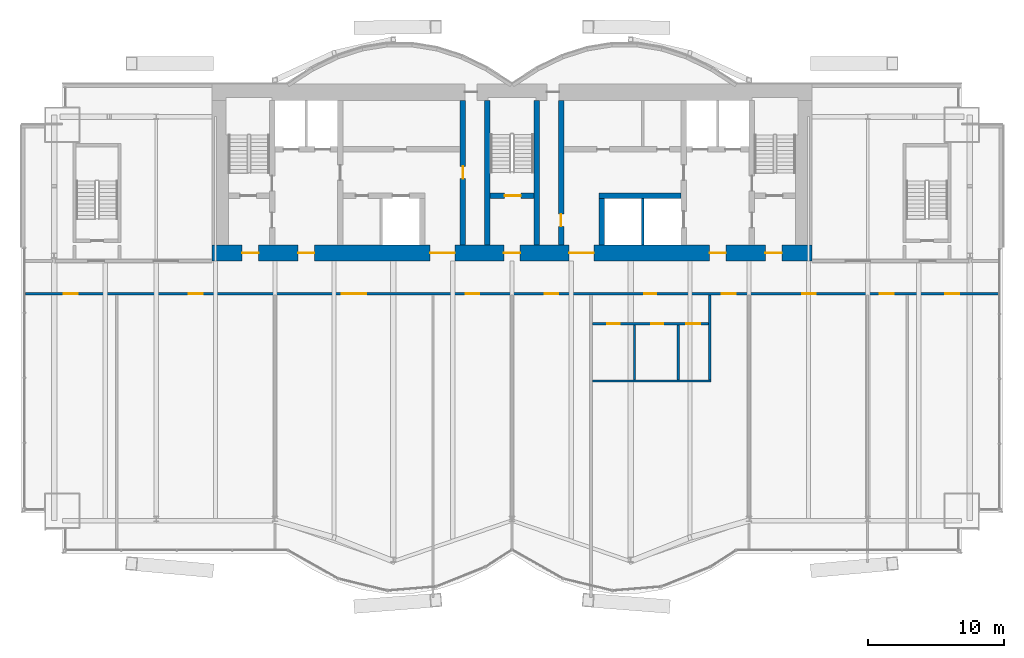
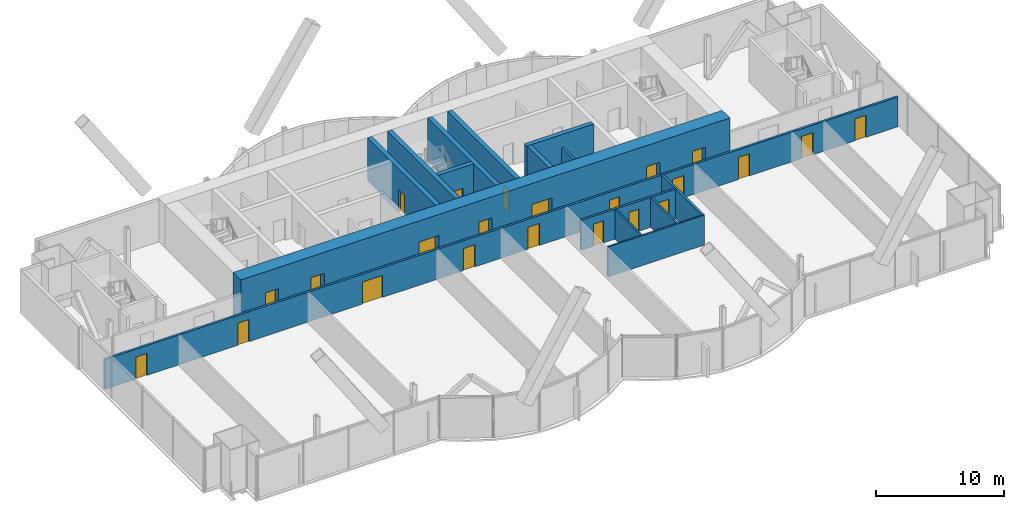
# One storey, part 17 of 22: 23 doors, 15 walls, 23 openings.
"""IFC4 building model written with IfcOpenShell, lengths in metres."""

from ifc_helpers import new_model, si_unit, direction, frame, frame_2d, origin, place, context, subcontext, project, spatial, rectangle, extrude, material, layer, layer_set, type_object, element, fill, save


model = new_model("IFC4")

# Units and contexts
model_context = context("Model", 3, precision=1e-05, world=origin(), true_north=direction((0.0, 1.0)))
body_context = subcontext(model_context, "Body", "Model", "MODEL_VIEW")
ifc_project = project(units=[si_unit("LENGTHUNIT", "METRE"), si_unit("AREAUNIT", "SQUARE_METRE"), si_unit("VOLUMEUNIT", "CUBIC_METRE"), si_unit("PLANEANGLEUNIT", "RADIAN"), si_unit("MASSUNIT", "GRAM", prefix="KILO")], contexts=[model_context])

# Site, building, storey
site_placement = place(None, origin())
site = spatial("IfcSite", under=ifc_project, at=site_placement, CompositionType="ELEMENT")
building_placement = place(site_placement, origin())
building = spatial("IfcBuilding", under=site, at=building_placement, Name="Bicima Exchange Tower", CompositionType="ELEMENT")
storey_placement = place(building_placement, frame((0.0, 0.0, 169.10009765625)))
storey = spatial("IfcBuildingStorey", under=building, at=storey_placement, Name="L37", CompositionType="ELEMENT", Elevation=169.10009765625)

# Wall
ifc_material_1 = material(Name="Gypsum board partition")
ifc_layer_1 = layer(ifc_material_1, 0.199951171875)
ifc_layer_set_1 = layer_set([ifc_layer_1], Name="Gypsum board partition")
wall_type_1 = type_object("IfcWallType", Name="Fire-rated gypsum partition 200 EI120", PredefinedType="PARTITIONING", material=ifc_layer_set_1)
wall_1_placement = place(storey_placement, frame((9.60009765625, -11.800048828125, 0.0), z_axis=(0.0, 0.0, 1.0), x_axis=(0.0, 1.0, 0.0)))
element("IfcWall", 1, at=wall_1_placement, inside=storey, type_object=wall_type_1, Name="partition wall 18", PredefinedType="PARTITIONING", context=body_context, shape_type="SweptSolid", body=[
    extrude(rectangle(XDim=3.400146484375, YDim=0.199951171875, at=frame_2d((1.7001953125, 0.0))), origin(), (0.0, 0.0, 1.0), 2.840087890625),
])

# Wall, openings, doors
ifc_layer_2 = layer(ifc_material_1, 0.199951171875)
ifc_layer_set_2 = layer_set([ifc_layer_2], Name="Gypsum board partition")
wall_type_2 = type_object("IfcWallType", Name="Fire-rated gypsum partition 200 EI60", PredefinedType="PARTITIONING", material=ifc_layer_set_2)
wall_2_placement = place(storey_placement, frame((5.89990234375, -17.60009765625, 0.0), z_axis=(0.0, 0.0, 1.0), x_axis=(1.0, 0.0, 0.0)))
wall_2 = element("IfcWall", 2, at=wall_2_placement, inside=storey, type_object=wall_type_2, Name="partition wall 2", PredefinedType="PARTITIONING", context=body_context, shape_type="SweptSolid", body=[
    extrude(rectangle(XDim=8.5, YDim=0.199951171875, at=frame_2d((4.25, 0.0))), origin(), (0.0, 0.0, 1.0), 2.840087890625),
])
opening_1_placement = place(wall_2_placement, frame((1.10009765625, 0.0, 0.0)))
opening_1 = element("IfcOpeningElement", 3, at=opening_1_placement, cuts=wall_2, Name="Opening L37-013", PredefinedType="OPENING", context=body_context, shape_type="SweptSolid", body=[
    extrude(rectangle(XDim=0.89990234375, YDim=2.10009765625, at=frame_2d((0.449951171875, 1.050048828125))), frame((0.0, 0.11181640625, 0.0), z_axis=(0.0, -1.0, 0.0), x_axis=(1.0, 0.0, 0.0)), (0.0, 0.0, 1.0), 0.223876953125),
])
opening_2_placement = place(wall_2_placement, frame((4.300048828125, 0.0, 0.0)))
opening_2 = element("IfcOpeningElement", 4, at=opening_2_placement, cuts=wall_2, Name="Opening L37-014", PredefinedType="OPENING", context=body_context, shape_type="SweptSolid", body=[
    extrude(rectangle(XDim=0.89990234375, YDim=2.10009765625, at=frame_2d((0.449951171875, 1.050048828125))), frame((0.0, 0.11181640625, 0.0), z_axis=(0.0, -1.0, 0.0), x_axis=(1.0, 0.0, 0.0)), (0.0, 0.0, 1.0), 0.223876953125),
])
opening_3_placement = place(wall_2_placement, frame((6.89990234375, 0.0, 0.0)))
opening_3 = element("IfcOpeningElement", 5, at=opening_3_placement, cuts=wall_2, Name="Opening L37-015", PredefinedType="OPENING", context=body_context, shape_type="SweptSolid", body=[
    extrude(rectangle(XDim=1.0, YDim=2.10009765625, at=frame_2d((0.5, 1.050048828125))), frame((0.0, 0.11181640625, 0.0), z_axis=(0.0, -1.0, 0.0), x_axis=(1.0, 0.0, 0.0)), (0.0, 0.0, 1.0), 0.223876953125),
])
ifc_material_2 = material(Name="Steel fire door leaf", Category="steel")
door_type_1 = type_object("IfcDoorType", Name="Door 1000 swing FD30S", OperationType="SINGLE_SWING_LEFT", PredefinedType="DOOR", material=ifc_material_2)
door_1_placement = place(opening_3_placement, frame((1.0, 0.0, 0.0), z_axis=(0.0, 0.0, 1.0), x_axis=(-1.0, 0.0, 0.0)))
door_1 = element("IfcDoor", 6, at=door_1_placement, inside=storey, type_object=door_type_1, Name="Door", OperationType="SINGLE_SWING_RIGHT", OverallHeight=2.10009765625, OverallWidth=1.0, PredefinedType="DOOR", context=body_context, shape_type="SweptSolid", body=[
    extrude(rectangle(XDim=1.0, YDim=2.10009765625, at=frame_2d((0.5, 1.050048828125))), frame((0.0, 0.02490234375, 0.0), z_axis=(0.0, -1.0, 0.0), x_axis=(1.0, 0.0, 0.0)), (0.0, 0.0, 1.0), 0.050048828125),
])
fill(opening_3, door_1)
door_type_2 = type_object("IfcDoorType", Name="Door 900 swing FD30S", OperationType="SINGLE_SWING_LEFT", PredefinedType="DOOR", material=ifc_material_2)
door_2_placement = place(opening_1_placement, frame((0.89990234375, 0.0, 0.0), z_axis=(0.0, 0.0, 1.0), x_axis=(-1.0, 0.0, 0.0)))
door_2 = element("IfcDoor", 7, at=door_2_placement, inside=storey, type_object=door_type_2, Name="Door", OperationType="SINGLE_SWING_LEFT", OverallHeight=2.10009765625, OverallWidth=0.89990234375, PredefinedType="DOOR", context=body_context, shape_type="SweptSolid", body=[
    extrude(rectangle(XDim=0.89990234375, YDim=2.10009765625, at=frame_2d((0.449951171875, 1.050048828125))), frame((0.0, 0.02490234375, 0.0), z_axis=(0.0, -1.0, 0.0), x_axis=(1.0, 0.0, 0.0)), (0.0, 0.0, 1.0), 0.050048828125),
])
fill(opening_1, door_2)
door_3_placement = place(opening_2_placement, frame((0.89990234375, 0.0, 0.0), z_axis=(0.0, 0.0, 1.0), x_axis=(-1.0, 0.0, 0.0)))
door_3 = element("IfcDoor", 8, at=door_3_placement, inside=storey, type_object=door_type_2, Name="Door", OperationType="SINGLE_SWING_RIGHT", OverallHeight=2.10009765625, OverallWidth=0.89990234375, PredefinedType="DOOR", context=body_context, shape_type="SweptSolid", body=[
    extrude(rectangle(XDim=0.89990234375, YDim=2.10009765625, at=frame_2d((0.449951171875, 1.050048828125))), frame((0.0, 0.02490234375, 0.0), z_axis=(0.0, -1.0, 0.0), x_axis=(1.0, 0.0, 0.0)), (0.0, 0.0, 1.0), 0.050048828125),
])
fill(opening_2, door_3)

wall_3_placement = place(storey_placement, frame((-35.679931640625, -15.39990234375, 0.0), z_axis=(0.0, 0.0, 1.0), x_axis=(1.0, 0.0, 0.0)))
wall_3 = element("IfcWall", 9, at=wall_3_placement, inside=storey, type_object=wall_type_2, Name="partition wall 3", PredefinedType="PARTITIONING", context=body_context, shape_type="SweptSolid", body=[
    extrude(rectangle(XDim=71.35986328125, YDim=0.199951171875, at=frame_2d((35.679931640625, 0.0))), origin(), (0.0, 0.0, 1.0), 2.840087890625),
])
opening_4_placement = place(wall_3_placement, frame((2.800048828125, 0.0, 0.0)))
opening_4 = element("IfcOpeningElement", 10, at=opening_4_placement, cuts=wall_3, Name="Opening L37-007", PredefinedType="OPENING", context=body_context, shape_type="SweptSolid", body=[
    extrude(rectangle(XDim=1.0, YDim=2.10009765625, at=frame_2d((0.5, 1.050048828125))), frame((0.0, 0.11181640625, 0.0), z_axis=(0.0, -1.0, 0.0), x_axis=(1.0, 0.0, 0.0)), (0.0, 0.0, 1.0), 0.223876953125),
])
opening_5_placement = place(wall_3_placement, frame((11.97998046875, 0.0, 0.0)))
opening_5 = element("IfcOpeningElement", 11, at=opening_5_placement, cuts=wall_3, Name="Opening L37-008", PredefinedType="OPENING", context=body_context, shape_type="SweptSolid", body=[
    extrude(rectangle(XDim=1.0, YDim=2.10009765625, at=frame_2d((0.5, 1.050048828125))), frame((0.0, 0.11181640625, 0.0), z_axis=(0.0, -1.0, 0.0), x_axis=(1.0, 0.0, 0.0)), (0.0, 0.0, 1.0), 0.223876953125),
])
opening_6_placement = place(wall_3_placement, frame((23.179931640625, 0.0, 0.0)))
opening_6 = element("IfcOpeningElement", 12, at=opening_6_placement, cuts=wall_3, Name="Opening L37-009", PredefinedType="OPENING", context=body_context, shape_type="SweptSolid", body=[
    extrude(rectangle(XDim=1.800048828125, YDim=2.10009765625, at=frame_2d((0.89990234375, 1.050048828125))), frame((0.0, 0.11181640625, 0.0), z_axis=(0.0, -1.0, 0.0), x_axis=(1.0, 0.0, 0.0)), (0.0, 0.0, 1.0), 0.223876953125),
])
opening_7_placement = place(wall_3_placement, frame((32.280029296875, 0.0, 0.0)))
opening_7 = element("IfcOpeningElement", 13, at=opening_7_placement, cuts=wall_3, Name="Opening L37-010", PredefinedType="OPENING", context=body_context, shape_type="SweptSolid", body=[
    extrude(rectangle(XDim=1.0, YDim=2.10009765625, at=frame_2d((0.5, 1.050048828125))), frame((0.0, 0.11181640625, 0.0), z_axis=(0.0, -1.0, 0.0), x_axis=(1.0, 0.0, 0.0)), (0.0, 0.0, 1.0), 0.223876953125),
])
opening_8_placement = place(wall_3_placement, frame((38.080078125, 0.0, 0.0)))
opening_8 = element("IfcOpeningElement", 14, at=opening_8_placement, cuts=wall_3, Name="Opening L37-011", PredefinedType="OPENING", context=body_context, shape_type="SweptSolid", body=[
    extrude(rectangle(XDim=1.0, YDim=2.10009765625, at=frame_2d((0.5, 1.050048828125))), frame((0.0, 0.11181640625, 0.0), z_axis=(0.0, -1.0, 0.0), x_axis=(1.0, 0.0, 0.0)), (0.0, 0.0, 1.0), 0.223876953125),
])
opening_9_placement = place(wall_3_placement, frame((45.3798828125, 0.0, 0.0)))
opening_9 = element("IfcOpeningElement", 15, at=opening_9_placement, cuts=wall_3, Name="Opening L37-012", PredefinedType="OPENING", context=body_context, shape_type="SweptSolid", body=[
    extrude(rectangle(XDim=0.89990234375, YDim=2.10009765625, at=frame_2d((0.449951171875, 1.050048828125))), frame((0.0, 0.11181640625, 0.0), z_axis=(0.0, -1.0, 0.0), x_axis=(1.0, 0.0, 0.0)), (0.0, 0.0, 1.0), 0.223876953125),
])
opening_10_placement = place(wall_3_placement, frame((51.080078125, 0.0, 0.0)))
opening_10 = element("IfcOpeningElement", 16, at=opening_10_placement, cuts=wall_3, Name="Opening L37-016", PredefinedType="OPENING", context=body_context, shape_type="SweptSolid", body=[
    extrude(rectangle(XDim=1.0, YDim=2.10009765625, at=frame_2d((0.5, 1.050048828125))), frame((0.0, 0.11181640625, 0.0), z_axis=(0.0, -1.0, 0.0), x_axis=(1.0, 0.0, 0.0)), (0.0, 0.0, 1.0), 0.223876953125),
])
opening_11_placement = place(wall_3_placement, frame((56.97998046875, 0.0, 0.0)))
opening_11 = element("IfcOpeningElement", 17, at=opening_11_placement, cuts=wall_3, Name="Opening L37-017", PredefinedType="OPENING", context=body_context, shape_type="SweptSolid", body=[
    extrude(rectangle(XDim=1.0, YDim=2.10009765625, at=frame_2d((0.5, 1.050048828125))), frame((0.0, 0.11181640625, 0.0), z_axis=(0.0, -1.0, 0.0), x_axis=(1.0, 0.0, 0.0)), (0.0, 0.0, 1.0), 0.223876953125),
])
opening_12_placement = place(wall_3_placement, frame((62.679931640625, 0.0, 0.0)))
opening_12 = element("IfcOpeningElement", 18, at=opening_12_placement, cuts=wall_3, Name="Opening L37-018", PredefinedType="OPENING", context=body_context, shape_type="SweptSolid", body=[
    extrude(rectangle(XDim=1.0, YDim=2.10009765625, at=frame_2d((0.5, 1.050048828125))), frame((0.0, 0.11181640625, 0.0), z_axis=(0.0, -1.0, 0.0), x_axis=(1.0, 0.0, 0.0)), (0.0, 0.0, 1.0), 0.223876953125),
])
opening_13_placement = place(wall_3_placement, frame((67.47998046875, 0.0, 0.0)))
opening_13 = element("IfcOpeningElement", 19, at=opening_13_placement, cuts=wall_3, Name="Opening L37-019", PredefinedType="OPENING", context=body_context, shape_type="SweptSolid", body=[
    extrude(rectangle(XDim=1.0, YDim=2.10009765625, at=frame_2d((0.5, 1.050048828125))), frame((0.0, 0.11181640625, 0.0), z_axis=(0.0, -1.0, 0.0), x_axis=(1.0, 0.0, 0.0)), (0.0, 0.0, 1.0), 0.223876953125),
])
door_4_placement = place(opening_4_placement, frame((1.0, 0.0, 0.0), z_axis=(0.0, 0.0, 1.0), x_axis=(-1.0, 0.0, 0.0)))
door_4 = element("IfcDoor", 20, at=door_4_placement, inside=storey, type_object=door_type_1, Name="Door", OperationType="SINGLE_SWING_LEFT", OverallHeight=2.10009765625, OverallWidth=1.0, PredefinedType="DOOR", context=body_context, shape_type="SweptSolid", body=[
    extrude(rectangle(XDim=1.0, YDim=2.10009765625, at=frame_2d((0.5, 1.050048828125))), frame((0.0, 0.02490234375, 0.0), z_axis=(0.0, -1.0, 0.0), x_axis=(1.0, 0.0, 0.0)), (0.0, 0.0, 1.0), 0.050048828125),
])
fill(opening_4, door_4)
door_5_placement = place(opening_5_placement, frame((1.0, 0.0, 0.0), z_axis=(0.0, 0.0, 1.0), x_axis=(-1.0, 0.0, 0.0)))
door_5 = element("IfcDoor", 21, at=door_5_placement, inside=storey, type_object=door_type_1, Name="Door", OperationType="SINGLE_SWING_RIGHT", OverallHeight=2.10009765625, OverallWidth=1.0, PredefinedType="DOOR", context=body_context, shape_type="SweptSolid", body=[
    extrude(rectangle(XDim=1.0, YDim=2.10009765625, at=frame_2d((0.5, 1.050048828125))), frame((0.0, 0.02490234375, 0.0), z_axis=(0.0, -1.0, 0.0), x_axis=(1.0, 0.0, 0.0)), (0.0, 0.0, 1.0), 0.050048828125),
])
fill(opening_5, door_5)
door_6_placement = place(opening_7_placement, frame((1.0, 0.0, 0.0), z_axis=(0.0, 0.0, 1.0), x_axis=(-1.0, 0.0, 0.0)))
door_6 = element("IfcDoor", 22, at=door_6_placement, inside=storey, type_object=door_type_1, Name="Door", OperationType="SINGLE_SWING_LEFT", OverallHeight=2.10009765625, OverallWidth=1.0, PredefinedType="DOOR", context=body_context, shape_type="SweptSolid", body=[
    extrude(rectangle(XDim=1.0, YDim=2.10009765625, at=frame_2d((0.5, 1.050048828125))), frame((0.0, 0.02490234375, 0.0), z_axis=(0.0, -1.0, 0.0), x_axis=(1.0, 0.0, 0.0)), (0.0, 0.0, 1.0), 0.050048828125),
])
fill(opening_7, door_6)
door_7_placement = place(opening_8_placement, frame((1.0, 0.0, 0.0), z_axis=(0.0, 0.0, 1.0), x_axis=(-1.0, 0.0, 0.0)))
door_7 = element("IfcDoor", 23, at=door_7_placement, inside=storey, type_object=door_type_1, Name="Door", OperationType="SINGLE_SWING_RIGHT", OverallHeight=2.10009765625, OverallWidth=1.0, PredefinedType="DOOR", context=body_context, shape_type="SweptSolid", body=[
    extrude(rectangle(XDim=1.0, YDim=2.10009765625, at=frame_2d((0.5, 1.050048828125))), frame((0.0, 0.02490234375, 0.0), z_axis=(0.0, -1.0, 0.0), x_axis=(1.0, 0.0, 0.0)), (0.0, 0.0, 1.0), 0.050048828125),
])
fill(opening_8, door_7)
door_8_placement = place(opening_10_placement, frame((1.0, 0.0, 0.0), z_axis=(0.0, 0.0, 1.0), x_axis=(-1.0, 0.0, 0.0)))
door_8 = element("IfcDoor", 24, at=door_8_placement, inside=storey, type_object=door_type_1, Name="Door", OperationType="SINGLE_SWING_LEFT", OverallHeight=2.10009765625, OverallWidth=1.0, PredefinedType="DOOR", context=body_context, shape_type="SweptSolid", body=[
    extrude(rectangle(XDim=1.0, YDim=2.10009765625, at=frame_2d((0.5, 1.050048828125))), frame((0.0, 0.02490234375, 0.0), z_axis=(0.0, -1.0, 0.0), x_axis=(1.0, 0.0, 0.0)), (0.0, 0.0, 1.0), 0.050048828125),
])
fill(opening_10, door_8)
door_9_placement = place(opening_11_placement, frame((1.0, 0.0, 0.0), z_axis=(0.0, 0.0, 1.0), x_axis=(-1.0, 0.0, 0.0)))
door_9 = element("IfcDoor", 25, at=door_9_placement, inside=storey, type_object=door_type_1, Name="Door", OperationType="SINGLE_SWING_RIGHT", OverallHeight=2.10009765625, OverallWidth=1.0, PredefinedType="DOOR", context=body_context, shape_type="SweptSolid", body=[
    extrude(rectangle(XDim=1.0, YDim=2.10009765625, at=frame_2d((0.5, 1.050048828125))), frame((0.0, 0.02490234375, 0.0), z_axis=(0.0, -1.0, 0.0), x_axis=(1.0, 0.0, 0.0)), (0.0, 0.0, 1.0), 0.050048828125),
])
fill(opening_11, door_9)
door_10_placement = place(opening_12_placement, frame((1.0, 0.0, 0.0), z_axis=(0.0, 0.0, 1.0), x_axis=(-1.0, 0.0, 0.0)))
door_10 = element("IfcDoor", 26, at=door_10_placement, inside=storey, type_object=door_type_1, Name="Door", OperationType="SINGLE_SWING_RIGHT", OverallHeight=2.10009765625, OverallWidth=1.0, PredefinedType="DOOR", context=body_context, shape_type="SweptSolid", body=[
    extrude(rectangle(XDim=1.0, YDim=2.10009765625, at=frame_2d((0.5, 1.050048828125))), frame((0.0, 0.02490234375, 0.0), z_axis=(0.0, -1.0, 0.0), x_axis=(1.0, 0.0, 0.0)), (0.0, 0.0, 1.0), 0.050048828125),
])
fill(opening_12, door_10)
door_11_placement = place(opening_13_placement, frame((1.0, 0.0, 0.0), z_axis=(0.0, 0.0, 1.0), x_axis=(-1.0, 0.0, 0.0)))
door_11 = element("IfcDoor", 27, at=door_11_placement, inside=storey, type_object=door_type_1, Name="Door", OperationType="SINGLE_SWING_LEFT", OverallHeight=2.10009765625, OverallWidth=1.0, PredefinedType="DOOR", context=body_context, shape_type="SweptSolid", body=[
    extrude(rectangle(XDim=1.0, YDim=2.10009765625, at=frame_2d((0.5, 1.050048828125))), frame((0.0, 0.02490234375, 0.0), z_axis=(0.0, -1.0, 0.0), x_axis=(1.0, 0.0, 0.0)), (0.0, 0.0, 1.0), 0.050048828125),
])
fill(opening_13, door_11)
door_type_3 = type_object("IfcDoorType", Name="Door 1800 double swing FD30S", OperationType="DOUBLE_DOOR_SINGLE_SWING", PredefinedType="DOOR", material=ifc_material_2)
door_12_placement = place(opening_6_placement, origin())
door_12 = element("IfcDoor", 28, at=door_12_placement, inside=storey, type_object=door_type_3, Name="Door", OperationType="SINGLE_SWING_LEFT", OverallHeight=2.10009765625, OverallWidth=1.800048828125, PredefinedType="DOOR", context=body_context, shape_type="SweptSolid", body=[
    extrude(rectangle(XDim=1.800048828125, YDim=2.10009765625, at=frame_2d((0.89990234375, 1.050048828125))), frame((0.0, 0.02490234375, 0.0), z_axis=(0.0, -1.0, 0.0), x_axis=(1.0, 0.0, 0.0)), (0.0, 0.0, 1.0), 0.050048828125),
])
fill(opening_6, door_12)
door_13_placement = place(opening_9_placement, frame((0.89990234375, 0.0, 0.0), z_axis=(0.0, 0.0, 1.0), x_axis=(-1.0, 0.0, 0.0)))
door_13 = element("IfcDoor", 29, at=door_13_placement, inside=storey, type_object=door_type_2, Name="Door", OperationType="SINGLE_SWING_RIGHT", OverallHeight=2.10009765625, OverallWidth=0.89990234375, PredefinedType="DOOR", context=body_context, shape_type="SweptSolid", body=[
    extrude(rectangle(XDim=0.89990234375, YDim=2.10009765625, at=frame_2d((0.449951171875, 1.050048828125))), frame((0.0, 0.02490234375, 0.0), z_axis=(0.0, -1.0, 0.0), x_axis=(1.0, 0.0, 0.0)), (0.0, 0.0, 1.0), 0.050048828125),
])
fill(opening_9, door_13)

# Walls
wall_4_placement = place(storey_placement, frame((14.5, -21.72509765625, 0.0), z_axis=(0.0, 0.0, 1.0), x_axis=(0.0, 1.0, 0.0)))
element("IfcWall", 30, at=wall_4_placement, inside=storey, type_object=wall_type_2, Name="partition wall 22", PredefinedType="PARTITIONING", context=body_context, shape_type="SweptSolid", body=[
    extrude(rectangle(XDim=6.22509765625, YDim=0.199951171875, at=frame_2d((3.112548828125, 0.0))), origin(), (0.0, 0.0, 1.0), 2.840087890625),
])
ifc_layer_3 = layer(ifc_material_1, 0.14990234375)
ifc_layer_set_3 = layer_set([ifc_layer_3], Name="Gypsum board partition")
wall_type_3 = type_object("IfcWallType", Name="Gypsum partition 150", PredefinedType="PARTITIONING", material=ifc_layer_set_3)
wall_5_placement = place(storey_placement, frame((5.89990234375, -21.800048828125, 0.0), z_axis=(0.0, 0.0, 1.0), x_axis=(1.0, 0.0, 0.0)))
element("IfcWall", 31, at=wall_5_placement, inside=storey, type_object=wall_type_3, Name="partition wall 1", PredefinedType="PARTITIONING", context=body_context, shape_type="SweptSolid", body=[
    extrude(rectangle(XDim=8.7001953125, YDim=0.14990234375, at=frame_2d((4.35009765625, 0.0))), origin(), (0.0, 0.0, 1.0), 2.840087890625),
])
for number, where, z_axis, x_axis, name in (
    (32, (9.0, -21.72509765625, 0.0), (0.0, 0.0, 1.0), (0.0, 1.0, 0.0), "partition wall 20"),
    (33, (12.199951171875, -21.72509765625, 0.0), (0.0, 0.0, 1.0), (0.0, 1.0, 0.0), "partition wall 21"),
):
    element("IfcWall", number, at=place(storey_placement, frame(where, z_axis=z_axis, x_axis=x_axis)), inside=storey, type_object=wall_type_3, Name=name, PredefinedType="PARTITIONING", context=body_context, shape_type="SweptSolid", body=[
        extrude(rectangle(XDim=4.025146484375, YDim=0.14990234375, at=frame_2d((2.0126953125, 0.0))), origin(), (0.0, 0.0, 1.0), 2.840087890625),
    ])

# Wall, openings, doors
ifc_material_3 = material(Name="Concrete C50/60", Category="concrete")
ifc_layer_4 = layer(ifc_material_3, 1.199951171875)
ifc_layer_set_4 = layer_set([ifc_layer_4], Name="Concrete C50/60")
wall_type_4 = type_object("IfcWallType", Name="RC core wall 1200 C50/60", PredefinedType="SHEAR", material=ifc_layer_set_4)
wall_6_placement = place(storey_placement, frame((-22.0, -12.39990234375, 0.0), z_axis=(0.0, 0.0, 1.0), x_axis=(1.0, 0.0, 0.0)))
wall_6 = element("IfcWall", 34, at=wall_6_placement, inside=storey, type_object=wall_type_4, Name="Core wall south", PredefinedType="SHEAR", context=body_context, shape_type="SweptSolid", body=[
    extrude(rectangle(XDim=44.0, YDim=1.199951171875, at=frame_2d((22.0, 0.0))), origin(), (0.0, 0.0, 1.0), 4.099853515625),
])
opening_14_placement = place(wall_6_placement, frame((2.199951171875, 0.0, 0.0)))
opening_14 = element("IfcOpeningElement", 35, at=opening_14_placement, cuts=wall_6, Name="Opening L37-C18", PredefinedType="OPENING", context=body_context, shape_type="SweptSolid", body=[
    extrude(rectangle(XDim=1.199951171875, YDim=2.10009765625, at=frame_2d((0.60009765625, 1.050048828125))), frame((0.0, 0.61181640625, 0.0), z_axis=(0.0, -1.0, 0.0), x_axis=(1.0, 0.0, 0.0)), (0.0, 0.0, 1.0), 1.223876953125),
])
opening_15_placement = place(wall_6_placement, frame((21.39990234375, 0.0, 0.0)))
opening_15 = element("IfcOpeningElement", 36, at=opening_15_placement, cuts=wall_6, Name="Opening L37-C19", PredefinedType="OPENING", context=body_context, shape_type="SweptSolid", body=[
    extrude(rectangle(XDim=1.199951171875, YDim=2.10009765625, at=frame_2d((0.60009765625, 1.050048828125))), frame((0.0, 0.61181640625, 0.0), z_axis=(0.0, -1.0, 0.0), x_axis=(1.0, 0.0, 0.0)), (0.0, 0.0, 1.0), 1.223876953125),
])
opening_16_placement = place(wall_6_placement, frame((40.60009765625, 0.0, 0.0)))
opening_16 = element("IfcOpeningElement", 37, at=opening_16_placement, cuts=wall_6, Name="Opening L37-C20", PredefinedType="OPENING", context=body_context, shape_type="SweptSolid", body=[
    extrude(rectangle(XDim=1.199951171875, YDim=2.10009765625, at=frame_2d((0.60009765625, 1.050048828125))), frame((0.0, 0.61181640625, 0.0), z_axis=(0.0, -1.0, 0.0), x_axis=(1.0, 0.0, 0.0)), (0.0, 0.0, 1.0), 1.223876953125),
])
opening_17_placement = place(wall_6_placement, frame((16.0, 0.0, 0.0)))
opening_17 = element("IfcOpeningElement", 38, at=opening_17_placement, cuts=wall_6, Name="Opening L37-C21", PredefinedType="OPENING", context=body_context, shape_type="SweptSolid", body=[
    extrude(rectangle(XDim=1.800048828125, YDim=2.10009765625, at=frame_2d((0.89990234375, 1.050048828125))), frame((0.0, 0.61181640625, 0.0), z_axis=(0.0, -1.0, 0.0), x_axis=(1.0, 0.0, 0.0)), (0.0, 0.0, 1.0), 1.223876953125),
])
opening_18_placement = place(wall_6_placement, frame((6.300048828125, 0.0, 0.0)))
opening_18 = element("IfcOpeningElement", 39, at=opening_18_placement, cuts=wall_6, Name="Opening L37-C22", PredefinedType="OPENING", context=body_context, shape_type="SweptSolid", body=[
    extrude(rectangle(XDim=1.199951171875, YDim=2.10009765625, at=frame_2d((0.60009765625, 1.050048828125))), frame((0.0, 0.61181640625, 0.0), z_axis=(0.0, -1.0, 0.0), x_axis=(1.0, 0.0, 0.0)), (0.0, 0.0, 1.0), 1.223876953125),
])
opening_19_placement = place(wall_6_placement, frame((26.199951171875, 0.0, 0.0)))
opening_19 = element("IfcOpeningElement", 40, at=opening_19_placement, cuts=wall_6, Name="Opening L37-C23", PredefinedType="OPENING", context=body_context, shape_type="SweptSolid", body=[
    extrude(rectangle(XDim=1.800048828125, YDim=2.10009765625, at=frame_2d((0.89990234375, 1.050048828125))), frame((0.0, 0.61181640625, 0.0), z_axis=(0.0, -1.0, 0.0), x_axis=(1.0, 0.0, 0.0)), (0.0, 0.0, 1.0), 1.223876953125),
])
opening_20_placement = place(wall_6_placement, frame((36.5, 0.0, 0.0)))
opening_20 = element("IfcOpeningElement", 41, at=opening_20_placement, cuts=wall_6, Name="Opening L37-C24", PredefinedType="OPENING", context=body_context, shape_type="SweptSolid", body=[
    extrude(rectangle(XDim=1.199951171875, YDim=2.10009765625, at=frame_2d((0.60009765625, 1.050048828125))), frame((0.0, 0.61181640625, 0.0), z_axis=(0.0, -1.0, 0.0), x_axis=(1.0, 0.0, 0.0)), (0.0, 0.0, 1.0), 1.223876953125),
])
door_type_4 = type_object("IfcDoorType", Name="Door 1200 swing FD60S", OperationType="SINGLE_SWING_LEFT", PredefinedType="DOOR", material=ifc_material_2)
door_14_placement = place(opening_14_placement, frame((1.199951171875, 0.0, 0.0), z_axis=(0.0, 0.0, 1.0), x_axis=(-1.0, 0.0, 0.0)))
door_14 = element("IfcDoor", 42, at=door_14_placement, inside=storey, type_object=door_type_4, Name="Core door", OperationType="SINGLE_SWING_RIGHT", OverallHeight=2.10009765625, OverallWidth=1.199951171875, PredefinedType="DOOR", context=body_context, shape_type="SweptSolid", body=[
    extrude(rectangle(XDim=1.199951171875, YDim=2.10009765625, at=frame_2d((0.60009765625, 1.050048828125))), frame((0.0, 0.02490234375, 0.0), z_axis=(0.0, -1.0, 0.0), x_axis=(1.0, 0.0, 0.0)), (0.0, 0.0, 1.0), 0.050048828125),
])
fill(opening_14, door_14)
door_15_placement = place(opening_15_placement, frame((1.199951171875, 0.0, 0.0), z_axis=(0.0, 0.0, 1.0), x_axis=(-1.0, 0.0, 0.0)))
door_15 = element("IfcDoor", 43, at=door_15_placement, inside=storey, type_object=door_type_4, Name="Core door", OperationType="SINGLE_SWING_RIGHT", OverallHeight=2.10009765625, OverallWidth=1.199951171875, PredefinedType="DOOR", context=body_context, shape_type="SweptSolid", body=[
    extrude(rectangle(XDim=1.199951171875, YDim=2.10009765625, at=frame_2d((0.60009765625, 1.050048828125))), frame((0.0, 0.02490234375, 0.0), z_axis=(0.0, -1.0, 0.0), x_axis=(1.0, 0.0, 0.0)), (0.0, 0.0, 1.0), 0.050048828125),
])
fill(opening_15, door_15)
door_16_placement = place(opening_16_placement, frame((1.199951171875, 0.0, 0.0), z_axis=(0.0, 0.0, 1.0), x_axis=(-1.0, 0.0, 0.0)))
door_16 = element("IfcDoor", 44, at=door_16_placement, inside=storey, type_object=door_type_4, Name="Core door", OperationType="SINGLE_SWING_RIGHT", OverallHeight=2.10009765625, OverallWidth=1.199951171875, PredefinedType="DOOR", context=body_context, shape_type="SweptSolid", body=[
    extrude(rectangle(XDim=1.199951171875, YDim=2.10009765625, at=frame_2d((0.60009765625, 1.050048828125))), frame((0.0, 0.02490234375, 0.0), z_axis=(0.0, -1.0, 0.0), x_axis=(1.0, 0.0, 0.0)), (0.0, 0.0, 1.0), 0.050048828125),
])
fill(opening_16, door_16)
door_17_placement = place(opening_18_placement, frame((1.199951171875, 0.0, 0.0), z_axis=(0.0, 0.0, 1.0), x_axis=(-1.0, 0.0, 0.0)))
door_17 = element("IfcDoor", 45, at=door_17_placement, inside=storey, type_object=door_type_4, Name="Core door", OperationType="SINGLE_SWING_RIGHT", OverallHeight=2.10009765625, OverallWidth=1.199951171875, PredefinedType="DOOR", context=body_context, shape_type="SweptSolid", body=[
    extrude(rectangle(XDim=1.199951171875, YDim=2.10009765625, at=frame_2d((0.60009765625, 1.050048828125))), frame((0.0, 0.02490234375, 0.0), z_axis=(0.0, -1.0, 0.0), x_axis=(1.0, 0.0, 0.0)), (0.0, 0.0, 1.0), 0.050048828125),
])
fill(opening_18, door_17)
door_18_placement = place(opening_20_placement, frame((1.199951171875, 0.0, 0.0), z_axis=(0.0, 0.0, 1.0), x_axis=(-1.0, 0.0, 0.0)))
door_18 = element("IfcDoor", 46, at=door_18_placement, inside=storey, type_object=door_type_4, Name="Core door", OperationType="SINGLE_SWING_RIGHT", OverallHeight=2.10009765625, OverallWidth=1.199951171875, PredefinedType="DOOR", context=body_context, shape_type="SweptSolid", body=[
    extrude(rectangle(XDim=1.199951171875, YDim=2.10009765625, at=frame_2d((0.60009765625, 1.050048828125))), frame((0.0, 0.02490234375, 0.0), z_axis=(0.0, -1.0, 0.0), x_axis=(1.0, 0.0, 0.0)), (0.0, 0.0, 1.0), 0.050048828125),
])
fill(opening_20, door_18)
door_19_placement = place(opening_17_placement, origin())
door_19 = element("IfcDoor", 47, at=door_19_placement, inside=storey, type_object=door_type_3, Name="Core door", OperationType="SINGLE_SWING_LEFT", OverallHeight=2.10009765625, OverallWidth=1.800048828125, PredefinedType="DOOR", context=body_context, shape_type="SweptSolid", body=[
    extrude(rectangle(XDim=1.800048828125, YDim=2.10009765625, at=frame_2d((0.89990234375, 1.050048828125))), frame((0.0, 0.02490234375, 0.0), z_axis=(0.0, -1.0, 0.0), x_axis=(1.0, 0.0, 0.0)), (0.0, 0.0, 1.0), 0.050048828125),
])
fill(opening_17, door_19)
door_20_placement = place(opening_19_placement, origin())
door_20 = element("IfcDoor", 48, at=door_20_placement, inside=storey, type_object=door_type_3, Name="Core door", OperationType="SINGLE_SWING_LEFT", OverallHeight=2.10009765625, OverallWidth=1.800048828125, PredefinedType="DOOR", context=body_context, shape_type="SweptSolid", body=[
    extrude(rectangle(XDim=1.800048828125, YDim=2.10009765625, at=frame_2d((0.89990234375, 1.050048828125))), frame((0.0, 0.02490234375, 0.0), z_axis=(0.0, -1.0, 0.0), x_axis=(1.0, 0.0, 0.0)), (0.0, 0.0, 1.0), 0.050048828125),
])
fill(opening_19, door_20)

# Wall, opening, door
ifc_layer_5 = layer(ifc_material_3, 0.39990234375)
ifc_layer_set_5 = layer_set([ifc_layer_5], Name="Concrete C50/60")
wall_type_5 = type_object("IfcWallType", Name="RC core wall 400 C50/60", PredefinedType="SHEAR", material=ifc_layer_set_5)
wall_7_placement = place(storey_placement, frame((-1.60009765625, -8.199951171875, 0.0), z_axis=(0.0, 0.0, 1.0), x_axis=(1.0, 0.0, 0.0)))
wall_7 = element("IfcWall", 49, at=wall_7_placement, inside=storey, type_object=wall_type_5, Name="stair wall 3", PredefinedType="SHEAR", context=body_context, shape_type="SweptSolid", body=[
    extrude(rectangle(XDim=3.2001953125, YDim=0.39990234375, at=frame_2d((1.60009765625, 0.0))), origin(), (0.0, 0.0, 1.0), 4.099853515625),
])
opening_21_placement = place(wall_7_placement, frame((1.050048828125, 0.0, 0.0)))
opening_21 = element("IfcOpeningElement", 50, at=opening_21_placement, cuts=wall_7, Name="Opening L37-C03", PredefinedType="OPENING", context=body_context, shape_type="SweptSolid", body=[
    extrude(rectangle(XDim=1.199951171875, YDim=2.10009765625, at=frame_2d((0.60009765625, 1.050048828125))), frame((0.0, 0.2119140625, 0.0), z_axis=(0.0, -1.0, 0.0), x_axis=(1.0, 0.0, 0.0)), (0.0, 0.0, 1.0), 0.423828125),
])
door_21_placement = place(opening_21_placement, origin())
door_21 = element("IfcDoor", 51, at=door_21_placement, inside=storey, type_object=door_type_4, Name="Core door", OperationType="SINGLE_SWING_LEFT", OverallHeight=2.10009765625, OverallWidth=1.199951171875, PredefinedType="DOOR", context=body_context, shape_type="SweptSolid", body=[
    extrude(rectangle(XDim=1.199951171875, YDim=2.10009765625, at=frame_2d((0.60009765625, 1.050048828125))), frame((0.0, 0.02490234375, 0.0), z_axis=(0.0, -1.0, 0.0), x_axis=(1.0, 0.0, 0.0)), (0.0, 0.0, 1.0), 0.050048828125),
])
fill(opening_21, door_21)

# Wall
wall_8_placement = place(storey_placement, frame((6.39990234375, -8.199951171875, 0.0), z_axis=(0.0, 0.0, 1.0), x_axis=(1.0, 0.0, 0.0)))
element("IfcWall", 52, at=wall_8_placement, inside=storey, type_object=wall_type_5, Name="shear wall 4", PredefinedType="SHEAR", context=body_context, shape_type="SweptSolid", body=[
    extrude(rectangle(XDim=6.0, YDim=0.39990234375, at=frame_2d((3.0, 0.0))), origin(), (0.0, 0.0, 1.0), 4.099853515625),
])

# Wall, opening, door
wall_9_placement = place(storey_placement, frame((-3.60009765625, -11.800048828125, 0.0), z_axis=(0.0, 0.0, 1.0), x_axis=(0.0, 1.0, 0.0)))
wall_9 = element("IfcWall", 53, at=wall_9_placement, inside=storey, type_object=wall_type_5, Name="shear wall 13", PredefinedType="SHEAR", context=body_context, shape_type="SweptSolid", body=[
    extrude(rectangle(XDim=10.60009765625, YDim=0.39990234375, at=frame_2d((5.300048828125, 0.0))), origin(), (0.0, 0.0, 1.0), 4.099853515625),
])
opening_22_placement = place(wall_9_placement, frame((4.85009765625, 0.0, 0.0)))
opening_22 = element("IfcOpeningElement", 54, at=opening_22_placement, cuts=wall_9, Name="Opening L37-C10", PredefinedType="OPENING", context=body_context, shape_type="SweptSolid", body=[
    extrude(rectangle(XDim=0.89990234375, YDim=2.10009765625, at=frame_2d((0.449951171875, 1.050048828125))), frame((0.0, 0.2119140625, 0.0), z_axis=(0.0, -1.0, 0.0), x_axis=(1.0, 0.0, 0.0)), (0.0, 0.0, 1.0), 0.423828125),
])
door_22_placement = place(opening_22_placement, frame((0.89990234375, 0.0, 0.0), z_axis=(0.0, 0.0, 1.0), x_axis=(-1.0, 0.0, 0.0)))
door_22 = element("IfcDoor", 55, at=door_22_placement, inside=storey, type_object=door_type_2, Name="Core door", OperationType="SINGLE_SWING_LEFT", OverallHeight=2.10009765625, OverallWidth=0.89990234375, PredefinedType="DOOR", context=body_context, shape_type="SweptSolid", body=[
    extrude(rectangle(XDim=0.89990234375, YDim=2.10009765625, at=frame_2d((0.449951171875, 1.050048828125))), frame((0.0, 0.02490234375, 0.0), z_axis=(0.0, -1.0, 0.0), x_axis=(1.0, 0.0, 0.0)), (0.0, 0.0, 1.0), 0.050048828125),
])
fill(opening_22, door_22)

# Walls
for number, where, z_axis, x_axis, name in (
    (56, (-1.800048828125, -11.800048828125, 0.0), (0.0, 0.0, 1.0), (0.0, 1.0, 0.0), "stair wall 14"),
    (57, (1.800048828125, -11.800048828125, 0.0), (0.0, 0.0, 1.0), (0.0, 1.0, 0.0), "stair wall 15"),
):
    element("IfcWall", number, at=place(storey_placement, frame(where, z_axis=z_axis, x_axis=x_axis)), inside=storey, type_object=wall_type_5, Name=name, PredefinedType="SHEAR", context=body_context, shape_type="SweptSolid", body=[
        extrude(rectangle(XDim=10.60009765625, YDim=0.39990234375, at=frame_2d((5.300048828125, 0.0))), origin(), (0.0, 0.0, 1.0), 4.099853515625),
    ])

# Wall, opening, door
wall_10_placement = place(storey_placement, frame((3.60009765625, -11.800048828125, 0.0), z_axis=(0.0, 0.0, 1.0), x_axis=(0.0, 1.0, 0.0)))
wall_10 = element("IfcWall", 58, at=wall_10_placement, inside=storey, type_object=wall_type_5, Name="shear wall 16", PredefinedType="SHEAR", context=body_context, shape_type="SweptSolid", body=[
    extrude(rectangle(XDim=10.60009765625, YDim=0.39990234375, at=frame_2d((5.300048828125, 0.0))), origin(), (0.0, 0.0, 1.0), 4.099853515625),
])
opening_23_placement = place(wall_10_placement, frame((1.35009765625, 0.0, 0.0)))
opening_23 = element("IfcOpeningElement", 59, at=opening_23_placement, cuts=wall_10, Name="Opening L37-C11", PredefinedType="OPENING", context=body_context, shape_type="SweptSolid", body=[
    extrude(rectangle(XDim=0.89990234375, YDim=2.10009765625, at=frame_2d((0.449951171875, 1.050048828125))), frame((0.0, 0.2119140625, 0.0), z_axis=(0.0, -1.0, 0.0), x_axis=(1.0, 0.0, 0.0)), (0.0, 0.0, 1.0), 0.423828125),
])
door_23_placement = place(opening_23_placement, origin())
door_23 = element("IfcDoor", 60, at=door_23_placement, inside=storey, type_object=door_type_2, Name="Core door", OperationType="SINGLE_SWING_LEFT", OverallHeight=2.10009765625, OverallWidth=0.89990234375, PredefinedType="DOOR", context=body_context, shape_type="SweptSolid", body=[
    extrude(rectangle(XDim=0.89990234375, YDim=2.10009765625, at=frame_2d((0.449951171875, 1.050048828125))), frame((0.0, 0.02490234375, 0.0), z_axis=(0.0, -1.0, 0.0), x_axis=(1.0, 0.0, 0.0)), (0.0, 0.0, 1.0), 0.050048828125),
])
fill(opening_23, door_23)

# Wall
wall_11_placement = place(storey_placement, frame((6.60009765625, -11.800048828125, 0.0), z_axis=(0.0, 0.0, 1.0), x_axis=(0.0, 1.0, 0.0)))
element("IfcWall", 61, at=wall_11_placement, inside=storey, type_object=wall_type_5, Name="shear wall 17", PredefinedType="SHEAR", context=body_context, shape_type="SweptSolid", body=[
    extrude(rectangle(XDim=3.400146484375, YDim=0.39990234375, at=frame_2d((1.7001953125, 0.0))), origin(), (0.0, 0.0, 1.0), 4.099853515625),
])

save(model, "model.ifc")
